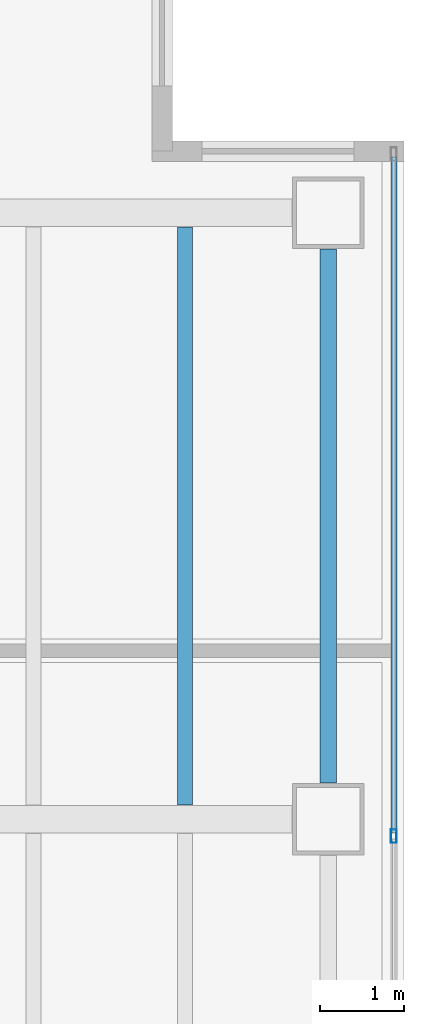
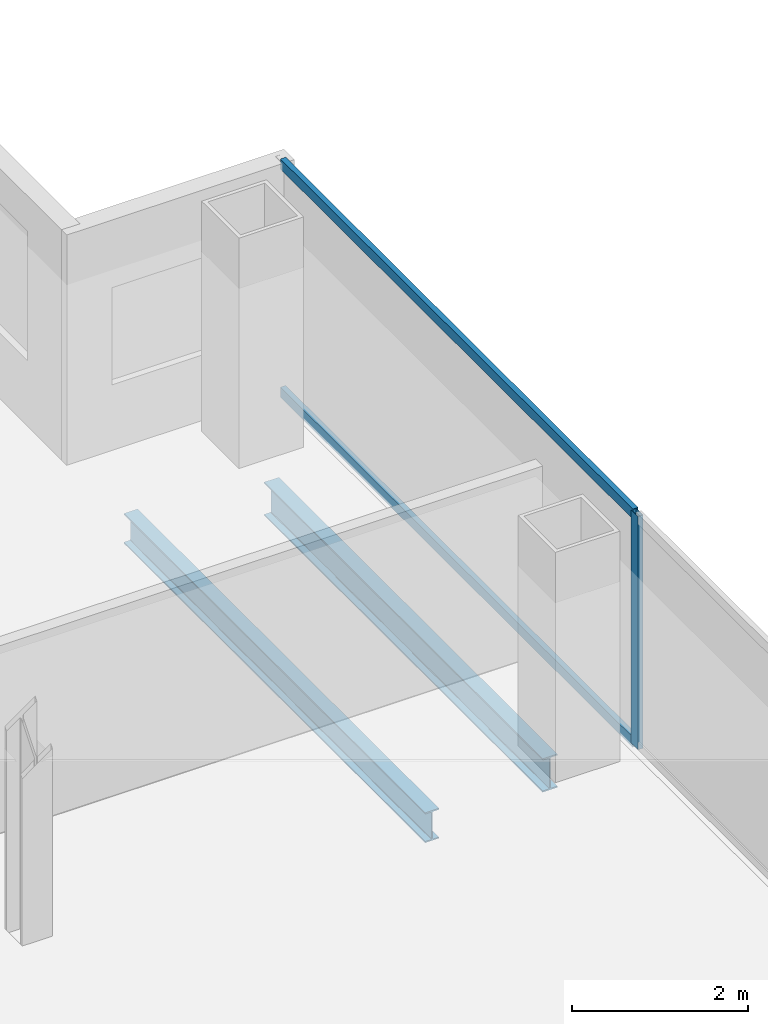
# One storey, part 14 of 23: 3 members, 2 beams, 1 element without a shape of its own.
"""IFC4 building model written with IfcOpenShell, lengths in metres."""

from ifc_helpers import new_model, si_unit, direction, frame, origin, origin_2d, place, context, subcontext, project, spatial, hollow_rectangle, i_section, extrude, material, material_profile, profile_set, type_object, element, aggregate, save


model = new_model("IFC4")

# Units and contexts
model_context = context("Model", 3, precision=1e-05, world=origin(), true_north=direction((0.0, 1.0)))
body_context = subcontext(model_context, "Body", "Model", "MODEL_VIEW")
ifc_project = project(units=[si_unit("LENGTHUNIT", "METRE"), si_unit("AREAUNIT", "SQUARE_METRE"), si_unit("VOLUMEUNIT", "CUBIC_METRE"), si_unit("PLANEANGLEUNIT", "RADIAN"), si_unit("MASSUNIT", "GRAM", prefix="KILO")], contexts=[model_context])

# Site, building, storey
site_placement = place(None, origin())
site = spatial("IfcSite", under=ifc_project, at=site_placement, CompositionType="ELEMENT")
building_placement = place(site_placement, origin())
building = spatial("IfcBuilding", under=site, at=building_placement, Name="Cobrela Telecom Tower", CompositionType="ELEMENT")
storey_placement = place(building_placement, frame((0.0, 0.0, 176.75)))
storey = spatial("IfcBuildingStorey", under=building, at=storey_placement, Name="L44", CompositionType="ELEMENT", Elevation=176.75)

# Beams
ifc_material_1 = material(Name="Steel ASTM A992 Grade 50", Category="steel")
ifc_material_profile_1 = material_profile(ifc_material_1, i_section(OverallWidth=0.179931640625, OverallDepth=0.4169921875, WebThickness=0.010986328125, FlangeThickness=0.01806640625, FilletRadius=0.011962890625, at=origin_2d()), Name="W16X57")
ifc_profile_set_1 = profile_set([ifc_material_profile_1], Name="Steel ASTM A992 Grade 50")
beam_type_1 = type_object("IfcBeamType", Name="BM-JOIST-04", PredefinedType="JOIST", material=ifc_profile_set_1)
beam_1_placement = place(storey_placement, frame((41.39990234375, 14.569091796875, -0.468505859375), z_axis=(0.0, 1.0, 0.0), x_axis=(-1.0, 0.0, 0.0)))
element("IfcBeam", 1, at=beam_1_placement, inside=storey, type_object=beam_type_1, Name="L44 Secondary Composite Floor Beam J30", PredefinedType="JOIST", context=body_context, shape_type="SweptSolid", body=[
    extrude(i_section(OverallWidth=0.179931640625, OverallDepth=0.4169921875, WebThickness=0.010986328125, FlangeThickness=0.01806640625, FilletRadius=0.011962890625, at=origin_2d()), origin(), (0.0, 0.0, 1.0), 6.86181640625),
])
ifc_material_profile_2 = material_profile(ifc_material_1, i_section(OverallWidth=0.193115234375, OverallDepth=0.467041015625, WebThickness=0.011474609375, FlangeThickness=0.01904296875, FilletRadius=0.012939453125, at=origin_2d()), Name="W18X65")
ifc_profile_set_2 = profile_set([ifc_material_profile_2], Name="Steel ASTM A992 Grade 50")
beam_type_2 = type_object("IfcBeamType", Name="BM-SPAND-05", PredefinedType="SPANDREL", material=ifc_profile_set_2)
beam_2_placement = place(storey_placement, frame((43.10009765625, 14.830078125, -0.493408203125), z_axis=(0.0, 1.0, 0.0), x_axis=(-1.0, 0.0, 0.0)))
element("IfcBeam", 2, at=beam_2_placement, inside=storey, type_object=beam_type_2, Name="L44 Perimeter Spandrel Y43", PredefinedType="SPANDREL", context=body_context, shape_type="SweptSolid", body=[
    extrude(i_section(OverallWidth=0.193115234375, OverallDepth=0.467041015625, WebThickness=0.011474609375, FlangeThickness=0.01904296875, FilletRadius=0.012939453125, at=origin_2d()), origin(), (0.0, 0.0, 1.0), 6.33984375),
])

# Curtain wall, members
ifc_material_2 = material(Name="Anodized Bronze Aluminium 6063-T6", Category="aluminium")
curtain_wall_type = type_object("IfcCurtainWallType", Name="CW-SYS-OFF-LO", PredefinedType="USERDEFINED", material=ifc_material_2)
curtain_wall_placement = place(storey_placement, origin())
curtain_wall = element("IfcCurtainWall", 3, at=curtain_wall_placement, inside=storey, type_object=curtain_wall_type, Name="L44 Unitised Bronze Curtain Wall 14", ObjectType="UNITISED CURTAIN WALL", PredefinedType="USERDEFINED")
ifc_material_profile_3 = material_profile(ifc_material_2, hollow_rectangle(XDim=0.070068359375, YDim=0.159912109375, WallThickness=0.00390625, at=origin_2d()), Name="ALU 70x160x4")
ifc_profile_set_3 = profile_set([ifc_material_profile_3], Name="Anodized Bronze Aluminium 6063-T6")
member_type_1 = type_object("IfcMemberType", Name="CW-SYS-OFF-LO-MUL", PredefinedType="MULLION", material=ifc_profile_set_3)
member_1_placement = place(storey_placement, frame((43.8798828125, 14.199951171875, 0.0), z_axis=(0.0, 0.0, 1.0), x_axis=(1.0, 0.0, 0.0)))
member_1 = element("IfcMember", 4, at=member_1_placement, type_object=member_type_1, Name="CW-OFF-LO mullion 2", PredefinedType="MULLION", context=body_context, shape_type="SweptSolid", body=[
    extrude(hollow_rectangle(XDim=0.070068359375, YDim=0.159912109375, WallThickness=0.00390625, at=origin_2d()), origin(), (0.0, 0.0, 1.0), 3.239990234375),
])
ifc_material_profile_4 = material_profile(ifc_material_2, hollow_rectangle(XDim=0.070068359375, YDim=0.139892578125, WallThickness=0.00390625, at=origin_2d()), Name="ALU 70x140x4")
ifc_profile_set_4 = profile_set([ifc_material_profile_4], Name="Anodized Bronze Aluminium 6063-T6")
member_type_2 = type_object("IfcMemberType", Name="CW-SYS-OFF-LO-TRN", PredefinedType="USERDEFINED", material=ifc_profile_set_4)
member_2_placement = place(storey_placement, frame((43.8798828125, 22.260009765625, 0.034912109375), z_axis=(0.0, -1.0, 0.0), x_axis=(1.0, 0.0, 0.0)))
member_2 = element("IfcMember", 5, at=member_2_placement, type_object=member_type_2, Name="CW-OFF-LO transom 1.1", ObjectType="TRANSOM", PredefinedType="USERDEFINED", context=body_context, shape_type="SweptSolid", body=[
    extrude(hollow_rectangle(XDim=0.070068359375, YDim=0.139892578125, WallThickness=0.00390625, at=origin_2d()), origin(), (0.0, 0.0, 1.0), 8.02490234375),
])
member_3_placement = place(storey_placement, frame((43.8798828125, 22.260009765625, 3.205078125), z_axis=(0.0, -1.0, 0.0), x_axis=(1.0, 0.0, 0.0)))
member_3 = element("IfcMember", 6, at=member_3_placement, type_object=member_type_2, Name="CW-OFF-LO transom 1.2", ObjectType="TRANSOM", PredefinedType="USERDEFINED", context=body_context, shape_type="SweptSolid", body=[
    extrude(hollow_rectangle(XDim=0.070068359375, YDim=0.139892578125, WallThickness=0.00390625, at=origin_2d()), origin(), (0.0, 0.0, 1.0), 8.02490234375),
])
aggregate(curtain_wall, [member_1, member_2, member_3])

save(model, "model.ifc")
